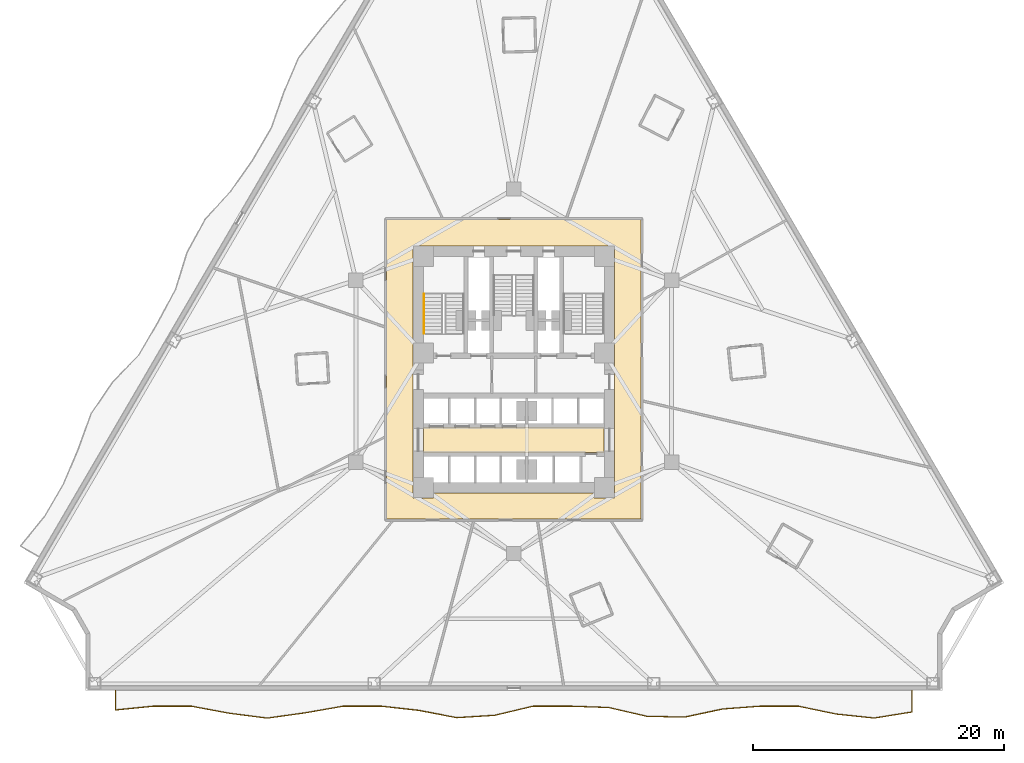
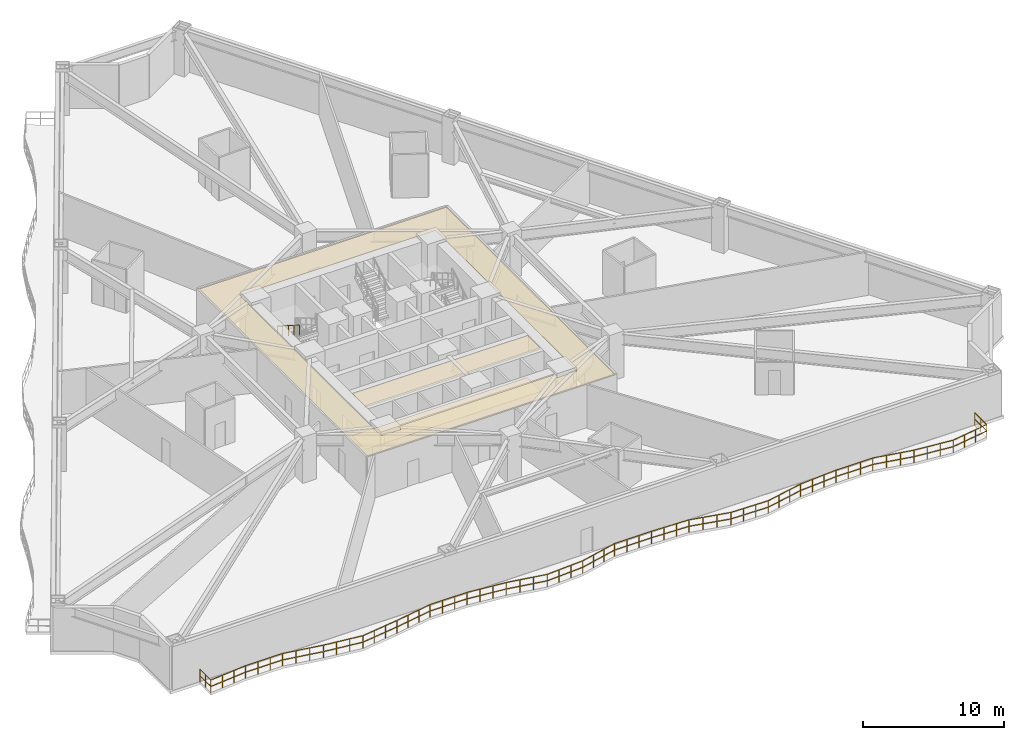
# One storey, part 8 of 11: 3 coverings, 2 railings.
"""IFC4 building model written with IfcOpenShell, lengths in metres."""

from ifc_helpers import new_model, si_unit, direction, frame, origin, origin_2d, place, context, subcontext, project, spatial, polyline, rectangle, outline, extrude, material, layer, layer_set, type_object, element, save


model = new_model("IFC4")

# Units and contexts
model_context = context("Model", 3, precision=1e-05, world=origin(), true_north=direction((0.0, 1.0)))
body_context = subcontext(model_context, "Body", "Model", "MODEL_VIEW")
ifc_project = project(units=[si_unit("LENGTHUNIT", "METRE"), si_unit("AREAUNIT", "SQUARE_METRE"), si_unit("VOLUMEUNIT", "CUBIC_METRE"), si_unit("PLANEANGLEUNIT", "RADIAN"), si_unit("MASSUNIT", "GRAM", prefix="KILO")], contexts=[model_context])

# Site, building, storey
site_placement = place(None, origin())
site = spatial("IfcSite", under=ifc_project, at=site_placement, CompositionType="ELEMENT")
building_placement = place(site_placement, origin())
building = spatial("IfcBuilding", under=site, at=building_placement, Name="Apsidion Concourse Tower", CompositionType="ELEMENT")
storey_placement = place(building_placement, frame((0.0, 0.0, 46.39990234375)))
storey = spatial("IfcBuildingStorey", under=building, at=storey_placement, Name="L09", CompositionType="ELEMENT", Elevation=46.39990234375)

# Coverings
ifc_material_1 = material(Name="Acoustic mineral fibre ceiling")
ifc_layer_1 = layer(ifc_material_1, 0.0400390625)
ifc_layer_set_1 = layer_set([ifc_layer_1], Name="Acoustic mineral fibre ceiling")
covering_type_1 = type_object("IfcCoveringType", Name="COV-CEIL-40", PredefinedType="CEILING", material=ifc_layer_set_1)
covering_1_placement = place(storey_placement, frame((0.0, 0.0, 3.650146484375)))
element("IfcCovering", 1, at=covering_1_placement, inside=storey, type_object=covering_type_1, Name="L09 Acoustic Ceiling Grid 1", PredefinedType="CEILING", context=body_context, shape_type="SweptSolid", body=[
    extrude(outline(polyline([(-7.179931640625, -6.449951171875), (-7.179931640625, -4.47998046875), (7.179931640625, -4.47998046875), (7.179931640625, -6.449951171875), (-7.179931640625, -6.449951171875)])), origin(), (0.0, 0.0, 1.0), 0.0400390625),
])
covering_2_placement = place(storey_placement, frame((0.0, 0.0, 3.650146484375)))
element("IfcCovering", 2, at=covering_2_placement, inside=storey, type_object=covering_type_1, Name="L09 Acoustic Ceiling Grid 2", PredefinedType="CEILING", context=body_context, shape_type="SweptSolid", body=[
    extrude(outline(polyline([(10.1201171875, 12.070068359375), (10.1201171875, -11.77001953125), (-10.1201171875, -11.77001953125), (-10.1201171875, 12.070068359375), (10.1201171875, 12.070068359375)]), holes=[polyline([(-8.02001953125, 9.949951171875), (-8.02001953125, 8.35009765625), (-8.02001953125, 2.25), (-8.02001953125, 0.64990234375), (-8.02001953125, -8.449951171875), (-8.02001953125, -9.669921875), (-8.02001953125, -10.050048828125), (-8.02001953125, -10.052001953125), (-8.01953125, -10.053955078125), (-8.01904296875, -10.055908203125), (-8.0185546875, -10.0576171875), (-8.017578125, -10.059326171875), (-8.0166015625, -10.06103515625), (-8.015380859375, -10.062744140625), (-8.01416015625, -10.064208984375), (-8.0126953125, -10.0654296875), (-8.010986328125, -10.066650390625), (-8.009521484375, -10.067626953125), (-8.0078125, -10.068603515625), (-8.005859375, -10.069091796875), (-8.00390625, -10.069580078125), (-8.001953125, -10.06982421875), (-8.0, -10.070068359375), (-6.39990234375, -10.070068359375), (-6.39794921875, -10.06982421875), (-6.39599609375, -10.069580078125), (-6.394287109375, -10.069091796875), (-6.392333984375, -10.068603515625), (-6.390625, -10.067626953125), (-6.388916015625, -10.066650390625), (-6.38720703125, -10.0654296875), (-6.385986328125, -10.064208984375), (-6.384521484375, -10.062744140625), (-6.38330078125, -10.06103515625), (-6.38232421875, -10.059326171875), (-6.381591796875, -10.0576171875), (-6.380859375, -10.055908203125), (-6.38037109375, -10.053955078125), (-6.380126953125, -10.052001953125), (-6.3798828125, -10.050048828125), (-6.3798828125, -9.669921875), (6.3798828125, -9.669921875), (6.3798828125, -10.050048828125), (6.380126953125, -10.052001953125), (6.38037109375, -10.053955078125), (6.380859375, -10.055908203125), (6.381591796875, -10.0576171875), (6.38232421875, -10.059326171875), (6.38330078125, -10.06103515625), (6.384521484375, -10.062744140625), (6.385986328125, -10.064208984375), (6.38720703125, -10.0654296875), (6.388916015625, -10.066650390625), (6.390625, -10.067626953125), (6.392333984375, -10.068603515625), (6.394287109375, -10.069091796875), (6.39599609375, -10.069580078125), (6.39794921875, -10.06982421875), (6.39990234375, -10.070068359375), (8.0, -10.070068359375), (8.001953125, -10.06982421875), (8.00390625, -10.069580078125), (8.005859375, -10.069091796875), (8.0078125, -10.068603515625), (8.009521484375, -10.067626953125), (8.010986328125, -10.066650390625), (8.0126953125, -10.0654296875), (8.01416015625, -10.064208984375), (8.015380859375, -10.062744140625), (8.0166015625, -10.06103515625), (8.017578125, -10.059326171875), (8.0185546875, -10.0576171875), (8.01904296875, -10.055908203125), (8.01953125, -10.053955078125), (8.02001953125, -10.052001953125), (8.02001953125, -10.050048828125), (8.02001953125, -9.669921875), (8.02001953125, -8.449951171875), (8.02001953125, 0.64990234375), (8.02001953125, 2.25), (8.02001953125, 8.35009765625), (8.02001953125, 9.949951171875), (8.02001953125, 9.969970703125), (8.0, 9.969970703125), (6.39990234375, 9.969970703125), (-6.39990234375, 9.969970703125), (-8.0, 9.969970703125), (-8.02001953125, 9.969970703125), (-8.02001953125, 9.949951171875)])]), origin(), (0.0, 0.0, 1.0), 0.0400390625),
])
ifc_material_2 = material(Name="Honed travertine floor finish", Category="masonry")
ifc_layer_2 = layer(ifc_material_2, 0.02001953125)
ifc_layer_set_2 = layer_set([ifc_layer_2], Name="Honed travertine floor finish")
covering_type_2 = type_object("IfcCoveringType", Name="COV-FLOR-20", PredefinedType="FLOORING", material=ifc_layer_set_2)
covering_3_placement = place(storey_placement, origin())
element("IfcCovering", 3, at=covering_3_placement, inside=storey, type_object=covering_type_2, Name="L09 Honed Travertine Floor Finish 1", PredefinedType="FLOORING", context=body_context, shape_type="SweptSolid", body=[
    extrude(outline(polyline([(-7.179931640625, -6.449951171875), (-7.179931640625, -4.47998046875), (7.179931640625, -4.47998046875), (7.179931640625, -6.449951171875), (-7.179931640625, -6.449951171875)])), origin(), (0.0, 0.0, 1.0), 0.02001953125),
])

# Railings
ifc_material_3 = material(Name="Brushed stainless steel 316", Category="steel")
railing_type_1 = type_object("IfcRailingType", Name="RL-BAL-1120", PredefinedType="BALUSTRADE", material=ifc_material_3)
railing_1_placement = place(storey_placement, frame((31.68798828125, -25.39990234375, 0.0)))
element("IfcRailing", 4, at=railing_1_placement, inside=storey, type_object=railing_type_1, Name="L09 Face 2 Rippling Balcony Balustrade", PredefinedType="BALUSTRADE", context=body_context, shape_type="SweptSolid", body=[
    extrude(rectangle(XDim=0.048095703125, YDim=0.048095703125, at=origin_2d()), frame((0.0, 0.0, 1.09619140625), z_axis=(0.0, -1.0, 0.0), x_axis=(1.0, 0.0, 0.0)), (0.0, 0.0, 1.0), 1.707763671875),
    extrude(rectangle(XDim=0.048095703125, YDim=0.048095703125, at=origin_2d()), frame((0.0, 0.0, 0.5361328125), z_axis=(0.0, -1.0, 0.0), x_axis=(1.0, 0.0, 0.0)), (0.0, 0.0, 1.0), 1.707763671875),
    extrude(rectangle(XDim=0.048095703125, YDim=0.048095703125, at=origin_2d()), frame((0.0, -1.707763671875, 1.09619140625), z_axis=(-0.987287656497, -0.158943648283, 0.0), x_axis=(0.158943648283, -0.987287656497, 0.0)), (0.0, 0.0, 1.0), 3.056640625),
    extrude(rectangle(XDim=0.048095703125, YDim=0.048095703125, at=origin_2d()), frame((0.0, -1.707763671875, 0.5361328125), z_axis=(-0.987287656497, -0.158943648283, 0.0), x_axis=(0.158943648283, -0.987287656497, 0.0)), (0.0, 0.0, 1.0), 3.056640625),
    extrude(rectangle(XDim=0.048095703125, YDim=0.048095703125, at=origin_2d()), frame((-3.017822265625, -2.193603515625, 1.09619140625), z_axis=(-0.994531872867, 0.104433490088, 0.0), x_axis=(-0.104433490088, -0.994531872867, 0.0)), (0.0, 0.0, 1.0), 3.034423828125),
    extrude(rectangle(XDim=0.048095703125, YDim=0.048095703125, at=origin_2d()), frame((-3.017822265625, -2.193603515625, 0.5361328125), z_axis=(-0.994531872867, 0.104433490088, 0.0), x_axis=(-0.104433490088, -0.994531872867, 0.0)), (0.0, 0.0, 1.0), 3.034423828125),
    extrude(rectangle(XDim=0.048095703125, YDim=0.048095703125, at=origin_2d()), frame((-6.03564453125, -1.876708984375, 1.09619140625), z_axis=(-0.979110040839, 0.203331079592, 0.0), x_axis=(-0.203331079592, -0.979110040839, 0.0)), (0.0, 0.0, 1.0), 3.082275390625),
    extrude(rectangle(XDim=0.048095703125, YDim=0.048095703125, at=origin_2d()), frame((-6.03564453125, -1.876708984375, 0.5361328125), z_axis=(-0.979110040839, 0.203331079592, 0.0), x_axis=(-0.203331079592, -0.979110040839, 0.0)), (0.0, 0.0, 1.0), 3.082275390625),
    extrude(rectangle(XDim=0.048095703125, YDim=0.048095703125, at=origin_2d()), frame((-9.053466796875, -1.25, 1.09619140625), z_axis=(-1.0, 0.0, 0.0), x_axis=(0.0, -1.0, 0.0)), (0.0, 0.0, 1.0), 3.01806640625),
    extrude(rectangle(XDim=0.048095703125, YDim=0.048095703125, at=origin_2d()), frame((-9.053466796875, -1.25, 0.5361328125), z_axis=(-1.0, 0.0, 0.0), x_axis=(0.0, -1.0, 0.0)), (0.0, 0.0, 1.0), 3.01806640625),
    extrude(rectangle(XDim=0.048095703125, YDim=0.048095703125, at=origin_2d()), frame((-12.071533203125, -1.25, 1.09619140625), z_axis=(-0.99718213796, -0.075018555922, 0.0), x_axis=(0.075018555922, -0.99718213796, 0.0)), (0.0, 0.0, 1.0), 3.026611328125),
    extrude(rectangle(XDim=0.048095703125, YDim=0.048095703125, at=origin_2d()), frame((-12.071533203125, -1.25, 0.5361328125), z_axis=(-0.99718213796, -0.075018555922, 0.0), x_axis=(0.075018555922, -0.99718213796, 0.0)), (0.0, 0.0, 1.0), 3.026611328125),
    extrude(rectangle(XDim=0.048095703125, YDim=0.048095703125, at=origin_2d()), frame((-15.089599609375, -1.47705078125, 1.09619140625), z_axis=(-0.977976905051, -0.208713136116, 0.0), x_axis=(0.208713136116, -0.977976905051, 0.0)), (0.0, 0.0, 1.0), 3.085693359375),
    extrude(rectangle(XDim=0.048095703125, YDim=0.048095703125, at=origin_2d()), frame((-15.089599609375, -1.47705078125, 0.5361328125), z_axis=(-0.977976905051, -0.208713136116, 0.0), x_axis=(0.208713136116, -0.977976905051, 0.0)), (0.0, 0.0, 1.0), 3.085693359375),
    extrude(rectangle(XDim=0.048095703125, YDim=0.048095703125, at=origin_2d()), frame((-18.107421875, -2.12109375, 1.09619140625), z_axis=(-0.99974354465, 0.022646079808, 0.0), x_axis=(-0.022646079808, -0.99974354465, 0.0)), (0.0, 0.0, 1.0), 3.0185546875),
    extrude(rectangle(XDim=0.048095703125, YDim=0.048095703125, at=origin_2d()), frame((-18.107421875, -2.12109375, 0.5361328125), z_axis=(-0.99974354465, 0.022646079808, 0.0), x_axis=(-0.022646079808, -0.99974354465, 0.0)), (0.0, 0.0, 1.0), 3.0185546875),
    extrude(rectangle(XDim=0.048095703125, YDim=0.048095703125, at=origin_2d()), frame((-21.125244140625, -2.052734375, 1.09619140625), z_axis=(-0.974452277268, 0.224594655605, 0.0), x_axis=(-0.224594655605, -0.974452277268, 0.0)), (0.0, 0.0, 1.0), 3.096923828125),
    extrude(rectangle(XDim=0.048095703125, YDim=0.048095703125, at=origin_2d()), frame((-21.125244140625, -2.052734375, 0.5361328125), z_axis=(-0.974452277268, 0.224594655605, 0.0), x_axis=(-0.224594655605, -0.974452277268, 0.0)), (0.0, 0.0, 1.0), 3.096923828125),
    extrude(rectangle(XDim=0.048095703125, YDim=0.048095703125, at=origin_2d()), frame((-24.14306640625, -1.357177734375, 1.09619140625), z_axis=(-0.999370042813, 0.035489681993, 0.0), x_axis=(-0.035489681993, -0.999370042813, 0.0)), (0.0, 0.0, 1.0), 3.02001953125),
    extrude(rectangle(XDim=0.048095703125, YDim=0.048095703125, at=origin_2d()), frame((-24.14306640625, -1.357177734375, 0.5361328125), z_axis=(-0.999370042813, 0.035489681993, 0.0), x_axis=(-0.035489681993, -0.999370042813, 0.0)), (0.0, 0.0, 1.0), 3.02001953125),
    extrude(rectangle(XDim=0.048095703125, YDim=0.048095703125, at=origin_2d()), frame((-27.1611328125, -1.25, 1.09619140625), z_axis=(-0.999998268919, -0.001860687662, 0.0), x_axis=(0.001860687662, -0.999998268919, 0.0)), (0.0, 0.0, 1.0), 3.017822265625),
    extrude(rectangle(XDim=0.048095703125, YDim=0.048095703125, at=origin_2d()), frame((-27.1611328125, -1.25, 0.5361328125), z_axis=(-0.999998268919, -0.001860687662, 0.0), x_axis=(0.001860687662, -0.999998268919, 0.0)), (0.0, 0.0, 1.0), 3.017822265625),
    extrude(rectangle(XDim=0.048095703125, YDim=0.048095703125, at=origin_2d()), frame((-30.178955078125, -1.255615234375, 1.09619140625), z_axis=(-0.972652353543, -0.232265794181, 0.0), x_axis=(0.232265794181, -0.972652353543, 0.0)), (0.0, 0.0, 1.0), 3.10302734375),
    extrude(rectangle(XDim=0.048095703125, YDim=0.048095703125, at=origin_2d()), frame((-30.178955078125, -1.255615234375, 0.5361328125), z_axis=(-0.972652353543, -0.232265794181, 0.0), x_axis=(0.232265794181, -0.972652353543, 0.0)), (0.0, 0.0, 1.0), 3.10302734375),
    extrude(rectangle(XDim=0.048095703125, YDim=0.048095703125, at=origin_2d()), frame((-33.197021484375, -1.976318359375, 1.09619140625), z_axis=(-0.998045345896, -0.062493899986, 0.0), x_axis=(0.062493899986, -0.998045345896, 0.0)), (0.0, 0.0, 1.0), 3.023681640625),
    extrude(rectangle(XDim=0.048095703125, YDim=0.048095703125, at=origin_2d()), frame((-33.197021484375, -1.976318359375, 0.5361328125), z_axis=(-0.998045345896, -0.062493899986, 0.0), x_axis=(0.062493899986, -0.998045345896, 0.0)), (0.0, 0.0, 1.0), 3.023681640625),
    extrude(rectangle(XDim=0.048095703125, YDim=0.048095703125, at=origin_2d()), frame((-36.21484375, -2.165283203125, 1.09619140625), z_axis=(-0.982113953423, 0.188287499564, 0.0), x_axis=(-0.188287499564, -0.982113953423, 0.0)), (0.0, 0.0, 1.0), 3.072998046875),
    extrude(rectangle(XDim=0.048095703125, YDim=0.048095703125, at=origin_2d()), frame((-36.21484375, -2.165283203125, 0.5361328125), z_axis=(-0.982113953423, 0.188287499564, 0.0), x_axis=(-0.188287499564, -0.982113953423, 0.0)), (0.0, 0.0, 1.0), 3.072998046875),
    extrude(rectangle(XDim=0.048095703125, YDim=0.048095703125, at=origin_2d()), frame((-39.23291015625, -1.586669921875, 1.09619140625), z_axis=(-0.993834611841, 0.110872739239, 0.0), x_axis=(-0.110872739239, -0.993834611841, 0.0)), (0.0, 0.0, 1.0), 3.03662109375),
    extrude(rectangle(XDim=0.048095703125, YDim=0.048095703125, at=origin_2d()), frame((-39.23291015625, -1.586669921875, 0.5361328125), z_axis=(-0.993834611841, 0.110872739239, 0.0), x_axis=(-0.110872739239, -0.993834611841, 0.0)), (0.0, 0.0, 1.0), 3.03662109375),
    extrude(rectangle(XDim=0.048095703125, YDim=0.048095703125, at=origin_2d()), frame((-42.250732421875, -1.25, 1.09619140625), z_axis=(-1.0, 0.0, 0.0), x_axis=(0.0, -1.0, 0.0)), (0.0, 0.0, 1.0), 3.017822265625),
    extrude(rectangle(XDim=0.048095703125, YDim=0.048095703125, at=origin_2d()), frame((-42.250732421875, -1.25, 0.5361328125), z_axis=(-1.0, 0.0, 0.0), x_axis=(0.0, -1.0, 0.0)), (0.0, 0.0, 1.0), 3.017822265625),
    extrude(rectangle(XDim=0.048095703125, YDim=0.048095703125, at=origin_2d()), frame((-45.2685546875, -1.25, 1.09619140625), z_axis=(-0.985059883843, -0.172212151847, 0.0), x_axis=(0.172212151847, -0.985059883843, 0.0)), (0.0, 0.0, 1.0), 3.0634765625),
    extrude(rectangle(XDim=0.048095703125, YDim=0.048095703125, at=origin_2d()), frame((-45.2685546875, -1.25, 0.5361328125), z_axis=(-0.985059883843, -0.172212151847, 0.0), x_axis=(0.172212151847, -0.985059883843, 0.0)), (0.0, 0.0, 1.0), 3.0634765625),
    extrude(rectangle(XDim=0.048095703125, YDim=0.048095703125, at=origin_2d()), frame((-48.286376953125, -1.777587890625, 1.09619140625), z_axis=(-0.990360218301, -0.138515840272, 0.0), x_axis=(0.138515840272, -0.990360218301, 0.0)), (0.0, 0.0, 1.0), 3.04736328125),
    extrude(rectangle(XDim=0.048095703125, YDim=0.048095703125, at=origin_2d()), frame((-48.286376953125, -1.777587890625, 0.5361328125), z_axis=(-0.990360218301, -0.138515840272, 0.0), x_axis=(0.138515840272, -0.990360218301, 0.0)), (0.0, 0.0, 1.0), 3.04736328125),
    extrude(rectangle(XDim=0.048095703125, YDim=0.048095703125, at=origin_2d()), frame((-51.304443359375, -2.19970703125, 1.09619140625), z_axis=(-0.99182968549, 0.127569098846, 0.0), x_axis=(-0.127569098846, -0.99182968549, 0.0)), (0.0, 0.0, 1.0), 3.04296875),
    extrude(rectangle(XDim=0.048095703125, YDim=0.048095703125, at=origin_2d()), frame((-51.304443359375, -2.19970703125, 0.5361328125), z_axis=(-0.99182968549, 0.127569098846, 0.0), x_axis=(-0.127569098846, -0.99182968549, 0.0)), (0.0, 0.0, 1.0), 3.04296875),
    extrude(rectangle(XDim=0.048095703125, YDim=0.048095703125, at=origin_2d()), frame((-54.322509765625, -1.8115234375, 1.09619140625), z_axis=(-0.983126057973, 0.182929369253, 0.0), x_axis=(-0.182929369253, -0.983126057973, 0.0)), (0.0, 0.0, 1.0), 3.069580078125),
    extrude(rectangle(XDim=0.048095703125, YDim=0.048095703125, at=origin_2d()), frame((-54.322509765625, -1.8115234375, 0.5361328125), z_axis=(-0.983126057973, 0.182929369253, 0.0), x_axis=(-0.182929369253, -0.983126057973, 0.0)), (0.0, 0.0, 1.0), 3.069580078125),
    extrude(rectangle(XDim=0.048095703125, YDim=0.048095703125, at=origin_2d()), frame((-57.34033203125, -1.25, 1.09619140625), z_axis=(-1.0, 0.0, 0.0), x_axis=(0.0, -1.0, 0.0)), (0.0, 0.0, 1.0), 3.017822265625),
    extrude(rectangle(XDim=0.048095703125, YDim=0.048095703125, at=origin_2d()), frame((-57.34033203125, -1.25, 0.5361328125), z_axis=(-1.0, 0.0, 0.0), x_axis=(0.0, -1.0, 0.0)), (0.0, 0.0, 1.0), 3.017822265625),
    extrude(rectangle(XDim=0.048095703125, YDim=0.048095703125, at=origin_2d()), frame((-60.358154296875, -1.25, 1.09619140625), z_axis=(-0.995093620277, -0.098937793004, 0.0), x_axis=(0.098937793004, -0.995093620277, 0.0)), (0.0, 0.0, 1.0), 3.03271484375),
    extrude(rectangle(XDim=0.048095703125, YDim=0.048095703125, at=origin_2d()), frame((-60.358154296875, -1.25, 0.5361328125), z_axis=(-0.995093620277, -0.098937793004, 0.0), x_axis=(0.098937793004, -0.995093620277, 0.0)), (0.0, 0.0, 1.0), 3.03271484375),
    extrude(rectangle(XDim=0.048095703125, YDim=0.048095703125, at=origin_2d()), frame((-63.3759765625, -1.550048828125, 1.09619140625), z_axis=(0.0, 1.0, 0.0), x_axis=(-1.0, 0.0, 0.0)), (0.0, 0.0, 1.0), 1.550048828125),
    extrude(rectangle(XDim=0.048095703125, YDim=0.048095703125, at=origin_2d()), frame((-63.3759765625, -1.550048828125, 0.5361328125), z_axis=(0.0, 1.0, 0.0), x_axis=(-1.0, 0.0, 0.0)), (0.0, 0.0, 1.0), 1.550048828125),
    extrude(rectangle(XDim=0.0419921875, YDim=0.0419921875, at=origin_2d()), origin(), (0.0, 0.0, 1.0), 1.072021484375),
    extrude(rectangle(XDim=0.0419921875, YDim=0.0419921875, at=origin_2d()), frame((0.0, -0.85400390625, 0.0)), (0.0, 0.0, 1.0), 1.072021484375),
    extrude(rectangle(XDim=0.0419921875, YDim=0.0419921875, at=origin_2d()), frame((0.0, -1.707763671875, 0.0)), (0.0, 0.0, 1.0), 1.072021484375),
    extrude(rectangle(XDim=0.0419921875, YDim=0.0419921875, at=origin_2d()), frame((-1.005859375, -1.86962890625, 0.0)), (0.0, 0.0, 1.0), 1.072021484375),
    extrude(rectangle(XDim=0.0419921875, YDim=0.0419921875, at=origin_2d()), frame((-2.011962890625, -2.03173828125, 0.0)), (0.0, 0.0, 1.0), 1.072021484375),
    extrude(rectangle(XDim=0.0419921875, YDim=0.0419921875, at=origin_2d()), frame((-3.017822265625, -2.193603515625, 0.0)), (0.0, 0.0, 1.0), 1.072021484375),
    extrude(rectangle(XDim=0.0419921875, YDim=0.0419921875, at=origin_2d()), frame((-4.023681640625, -2.087890625, 0.0)), (0.0, 0.0, 1.0), 1.072021484375),
    extrude(rectangle(XDim=0.0419921875, YDim=0.0419921875, at=origin_2d()), frame((-5.02978515625, -1.982421875, 0.0)), (0.0, 0.0, 1.0), 1.072021484375),
    extrude(rectangle(XDim=0.0419921875, YDim=0.0419921875, at=origin_2d()), frame((-6.03564453125, -1.876708984375, 0.0)), (0.0, 0.0, 1.0), 1.072021484375),
    extrude(rectangle(XDim=0.0419921875, YDim=0.0419921875, at=origin_2d()), frame((-7.04150390625, -1.667724609375, 0.0)), (0.0, 0.0, 1.0), 1.072021484375),
    extrude(rectangle(XDim=0.0419921875, YDim=0.0419921875, at=origin_2d()), frame((-8.047607421875, -1.458984375, 0.0)), (0.0, 0.0, 1.0), 1.072021484375),
    extrude(rectangle(XDim=0.0419921875, YDim=0.0419921875, at=origin_2d()), frame((-9.053466796875, -1.25, 0.0)), (0.0, 0.0, 1.0), 1.072021484375),
    extrude(rectangle(XDim=0.0419921875, YDim=0.0419921875, at=origin_2d()), frame((-10.0595703125, -1.25, 0.0)), (0.0, 0.0, 1.0), 1.072021484375),
    extrude(rectangle(XDim=0.0419921875, YDim=0.0419921875, at=origin_2d()), frame((-11.0654296875, -1.25, 0.0)), (0.0, 0.0, 1.0), 1.072021484375),
    extrude(rectangle(XDim=0.0419921875, YDim=0.0419921875, at=origin_2d()), frame((-12.071533203125, -1.25, 0.0)), (0.0, 0.0, 1.0), 1.072021484375),
    extrude(rectangle(XDim=0.0419921875, YDim=0.0419921875, at=origin_2d()), frame((-13.07763671875, -1.32568359375, 0.0)), (0.0, 0.0, 1.0), 1.072021484375),
    extrude(rectangle(XDim=0.0419921875, YDim=0.0419921875, at=origin_2d()), frame((-14.08349609375, -1.4013671875, 0.0)), (0.0, 0.0, 1.0), 1.072021484375),
    extrude(rectangle(XDim=0.0419921875, YDim=0.0419921875, at=origin_2d()), frame((-15.089599609375, -1.47705078125, 0.0)), (0.0, 0.0, 1.0), 1.072021484375),
    extrude(rectangle(XDim=0.0419921875, YDim=0.0419921875, at=origin_2d()), frame((-16.095458984375, -1.691650390625, 0.0)), (0.0, 0.0, 1.0), 1.072021484375),
    extrude(rectangle(XDim=0.0419921875, YDim=0.0419921875, at=origin_2d()), frame((-17.1015625, -1.906494140625, 0.0)), (0.0, 0.0, 1.0), 1.072021484375),
    extrude(rectangle(XDim=0.0419921875, YDim=0.0419921875, at=origin_2d()), frame((-18.107421875, -2.12109375, 0.0)), (0.0, 0.0, 1.0), 1.072021484375),
    extrude(rectangle(XDim=0.0419921875, YDim=0.0419921875, at=origin_2d()), frame((-19.11328125, -2.098388671875, 0.0)), (0.0, 0.0, 1.0), 1.072021484375),
    extrude(rectangle(XDim=0.0419921875, YDim=0.0419921875, at=origin_2d()), frame((-20.119384765625, -2.075439453125, 0.0)), (0.0, 0.0, 1.0), 1.072021484375),
    extrude(rectangle(XDim=0.0419921875, YDim=0.0419921875, at=origin_2d()), frame((-21.125244140625, -2.052734375, 0.0)), (0.0, 0.0, 1.0), 1.072021484375),
    extrude(rectangle(XDim=0.0419921875, YDim=0.0419921875, at=origin_2d()), frame((-22.131103515625, -1.82080078125, 0.0)), (0.0, 0.0, 1.0), 1.072021484375),
    extrude(rectangle(XDim=0.0419921875, YDim=0.0419921875, at=origin_2d()), frame((-23.13720703125, -1.589111328125, 0.0)), (0.0, 0.0, 1.0), 1.072021484375),
    extrude(rectangle(XDim=0.0419921875, YDim=0.0419921875, at=origin_2d()), frame((-24.14306640625, -1.357177734375, 0.0)), (0.0, 0.0, 1.0), 1.072021484375),
    extrude(rectangle(XDim=0.0419921875, YDim=0.0419921875, at=origin_2d()), frame((-25.149169921875, -1.321533203125, 0.0)), (0.0, 0.0, 1.0), 1.072021484375),
    extrude(rectangle(XDim=0.0419921875, YDim=0.0419921875, at=origin_2d()), frame((-26.155029296875, -1.28564453125, 0.0)), (0.0, 0.0, 1.0), 1.072021484375),
    extrude(rectangle(XDim=0.0419921875, YDim=0.0419921875, at=origin_2d()), frame((-27.1611328125, -1.25, 0.0)), (0.0, 0.0, 1.0), 1.072021484375),
    extrude(rectangle(XDim=0.0419921875, YDim=0.0419921875, at=origin_2d()), frame((-28.1669921875, -1.251953125, 0.0)), (0.0, 0.0, 1.0), 1.072021484375),
    extrude(rectangle(XDim=0.0419921875, YDim=0.0419921875, at=origin_2d()), frame((-29.173095703125, -1.253662109375, 0.0)), (0.0, 0.0, 1.0), 1.072021484375),
    extrude(rectangle(XDim=0.0419921875, YDim=0.0419921875, at=origin_2d()), frame((-30.178955078125, -1.255615234375, 0.0)), (0.0, 0.0, 1.0), 1.072021484375),
    extrude(rectangle(XDim=0.0419921875, YDim=0.0419921875, at=origin_2d()), frame((-31.18505859375, -1.495849609375, 0.0)), (0.0, 0.0, 1.0), 1.072021484375),
    extrude(rectangle(XDim=0.0419921875, YDim=0.0419921875, at=origin_2d()), frame((-32.19091796875, -1.736083984375, 0.0)), (0.0, 0.0, 1.0), 1.072021484375),
    extrude(rectangle(XDim=0.0419921875, YDim=0.0419921875, at=origin_2d()), frame((-33.197021484375, -1.976318359375, 0.0)), (0.0, 0.0, 1.0), 1.072021484375),
    extrude(rectangle(XDim=0.0419921875, YDim=0.0419921875, at=origin_2d()), frame((-34.202880859375, -2.039306640625, 0.0)), (0.0, 0.0, 1.0), 1.072021484375),
    extrude(rectangle(XDim=0.0419921875, YDim=0.0419921875, at=origin_2d()), frame((-35.208984375, -2.102294921875, 0.0)), (0.0, 0.0, 1.0), 1.072021484375),
    extrude(rectangle(XDim=0.0419921875, YDim=0.0419921875, at=origin_2d()), frame((-36.21484375, -2.165283203125, 0.0)), (0.0, 0.0, 1.0), 1.072021484375),
    extrude(rectangle(XDim=0.0419921875, YDim=0.0419921875, at=origin_2d()), frame((-37.220947265625, -1.972412109375, 0.0)), (0.0, 0.0, 1.0), 1.072021484375),
    extrude(rectangle(XDim=0.0419921875, YDim=0.0419921875, at=origin_2d()), frame((-38.226806640625, -1.779541015625, 0.0)), (0.0, 0.0, 1.0), 1.072021484375),
    extrude(rectangle(XDim=0.0419921875, YDim=0.0419921875, at=origin_2d()), frame((-39.23291015625, -1.586669921875, 0.0)), (0.0, 0.0, 1.0), 1.072021484375),
    extrude(rectangle(XDim=0.0419921875, YDim=0.0419921875, at=origin_2d()), frame((-40.23876953125, -1.474365234375, 0.0)), (0.0, 0.0, 1.0), 1.072021484375),
    extrude(rectangle(XDim=0.0419921875, YDim=0.0419921875, at=origin_2d()), frame((-41.244873046875, -1.3623046875, 0.0)), (0.0, 0.0, 1.0), 1.072021484375),
    extrude(rectangle(XDim=0.0419921875, YDim=0.0419921875, at=origin_2d()), frame((-42.250732421875, -1.25, 0.0)), (0.0, 0.0, 1.0), 1.072021484375),
    extrude(rectangle(XDim=0.0419921875, YDim=0.0419921875, at=origin_2d()), frame((-43.256591796875, -1.25, 0.0)), (0.0, 0.0, 1.0), 1.072021484375),
    extrude(rectangle(XDim=0.0419921875, YDim=0.0419921875, at=origin_2d()), frame((-44.2626953125, -1.25, 0.0)), (0.0, 0.0, 1.0), 1.072021484375),
    extrude(rectangle(XDim=0.0419921875, YDim=0.0419921875, at=origin_2d()), frame((-45.2685546875, -1.25, 0.0)), (0.0, 0.0, 1.0), 1.072021484375),
    extrude(rectangle(XDim=0.0419921875, YDim=0.0419921875, at=origin_2d()), frame((-46.2744140625, -1.42578125, 0.0)), (0.0, 0.0, 1.0), 1.072021484375),
    extrude(rectangle(XDim=0.0419921875, YDim=0.0419921875, at=origin_2d()), frame((-47.280517578125, -1.601806640625, 0.0)), (0.0, 0.0, 1.0), 1.072021484375),
    extrude(rectangle(XDim=0.0419921875, YDim=0.0419921875, at=origin_2d()), frame((-48.286376953125, -1.777587890625, 0.0)), (0.0, 0.0, 1.0), 1.072021484375),
    extrude(rectangle(XDim=0.0419921875, YDim=0.0419921875, at=origin_2d()), frame((-49.29248046875, -1.918212890625, 0.0)), (0.0, 0.0, 1.0), 1.072021484375),
    extrude(rectangle(XDim=0.0419921875, YDim=0.0419921875, at=origin_2d()), frame((-50.29833984375, -2.05908203125, 0.0)), (0.0, 0.0, 1.0), 1.072021484375),
    extrude(rectangle(XDim=0.0419921875, YDim=0.0419921875, at=origin_2d()), frame((-51.304443359375, -2.19970703125, 0.0)), (0.0, 0.0, 1.0), 1.072021484375),
    extrude(rectangle(XDim=0.0419921875, YDim=0.0419921875, at=origin_2d()), frame((-52.310546875, -2.0703125, 0.0)), (0.0, 0.0, 1.0), 1.072021484375),
    extrude(rectangle(XDim=0.0419921875, YDim=0.0419921875, at=origin_2d()), frame((-53.31640625, -1.94091796875, 0.0)), (0.0, 0.0, 1.0), 1.072021484375),
    extrude(rectangle(XDim=0.0419921875, YDim=0.0419921875, at=origin_2d()), frame((-54.322509765625, -1.8115234375, 0.0)), (0.0, 0.0, 1.0), 1.072021484375),
    extrude(rectangle(XDim=0.0419921875, YDim=0.0419921875, at=origin_2d()), frame((-55.328369140625, -1.624267578125, 0.0)), (0.0, 0.0, 1.0), 1.072021484375),
    extrude(rectangle(XDim=0.0419921875, YDim=0.0419921875, at=origin_2d()), frame((-56.33447265625, -1.437255859375, 0.0)), (0.0, 0.0, 1.0), 1.072021484375),
    extrude(rectangle(XDim=0.0419921875, YDim=0.0419921875, at=origin_2d()), frame((-57.34033203125, -1.25, 0.0)), (0.0, 0.0, 1.0), 1.072021484375),
    extrude(rectangle(XDim=0.0419921875, YDim=0.0419921875, at=origin_2d()), frame((-58.34619140625, -1.25, 0.0)), (0.0, 0.0, 1.0), 1.072021484375),
    extrude(rectangle(XDim=0.0419921875, YDim=0.0419921875, at=origin_2d()), frame((-59.352294921875, -1.25, 0.0)), (0.0, 0.0, 1.0), 1.072021484375),
    extrude(rectangle(XDim=0.0419921875, YDim=0.0419921875, at=origin_2d()), frame((-60.358154296875, -1.25, 0.0)), (0.0, 0.0, 1.0), 1.072021484375),
    extrude(rectangle(XDim=0.0419921875, YDim=0.0419921875, at=origin_2d()), frame((-61.364013671875, -1.35009765625, 0.0)), (0.0, 0.0, 1.0), 1.072021484375),
    extrude(rectangle(XDim=0.0419921875, YDim=0.0419921875, at=origin_2d()), frame((-62.3701171875, -1.449951171875, 0.0)), (0.0, 0.0, 1.0), 1.072021484375),
    extrude(rectangle(XDim=0.0419921875, YDim=0.0419921875, at=origin_2d()), frame((-63.3759765625, -1.550048828125, 0.0)), (0.0, 0.0, 1.0), 1.072021484375),
    extrude(rectangle(XDim=0.0419921875, YDim=0.0419921875, at=origin_2d()), frame((-63.3759765625, -0.77490234375, 0.0)), (0.0, 0.0, 1.0), 1.072021484375),
    extrude(rectangle(XDim=0.0419921875, YDim=0.0419921875, at=origin_2d()), frame((-63.3759765625, 0.0, 0.0)), (0.0, 0.0, 1.0), 1.072021484375),
])
railing_type_2 = type_object("IfcRailingType", Name="RL-HAND-900", PredefinedType="HANDRAIL", material=ifc_material_3)
railing_2_placement = place(storey_placement, frame((-7.14990234375, 6.135009765625, 2.166748046875)))
element("IfcRailing", 5, at=railing_2_placement, inside=storey, type_object=railing_type_2, Name="L09 ST1 stair handrail 2", PredefinedType="HANDRAIL", context=body_context, shape_type="SweptSolid", body=[
    extrude(rectangle(XDim=0.048095703125, YDim=0.048095703125, at=origin_2d()), frame((0.0, 0.0, 0.8759765625), z_axis=(0.0, -0.843052688722, 0.537830980921), x_axis=(1.0, 0.0, 0.0)), (0.0, 0.0, 1.0), 3.71875),
    extrude(rectangle(XDim=0.0419921875, YDim=0.0419921875, at=origin_2d()), origin(), (0.0, 0.0, 1.0), 0.851806640625),
    extrude(rectangle(XDim=0.0419921875, YDim=0.0419921875, at=origin_2d()), frame((0.0, -0.78369140625, 0.5)), (0.0, 0.0, 1.0), 0.851806640625),
    extrude(rectangle(XDim=0.0419921875, YDim=0.0419921875, at=origin_2d()), frame((0.0, -1.5673828125, 1.0)), (0.0, 0.0, 1.0), 0.851806640625),
    extrude(rectangle(XDim=0.0419921875, YDim=0.0419921875, at=origin_2d()), frame((0.0, -2.351318359375, 1.5)), (0.0, 0.0, 1.0), 0.851806640625),
    extrude(rectangle(XDim=0.0419921875, YDim=0.0419921875, at=origin_2d()), frame((0.0, -3.135009765625, 2.0)), (0.0, 0.0, 1.0), 0.851806640625),
])

save(model, "model.ifc")
